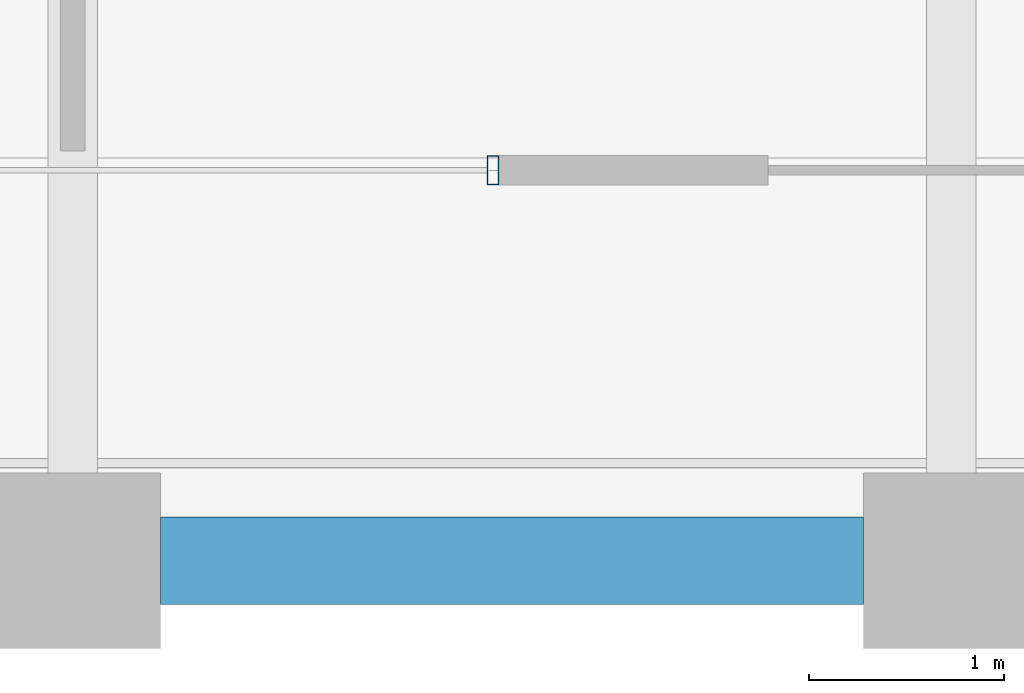
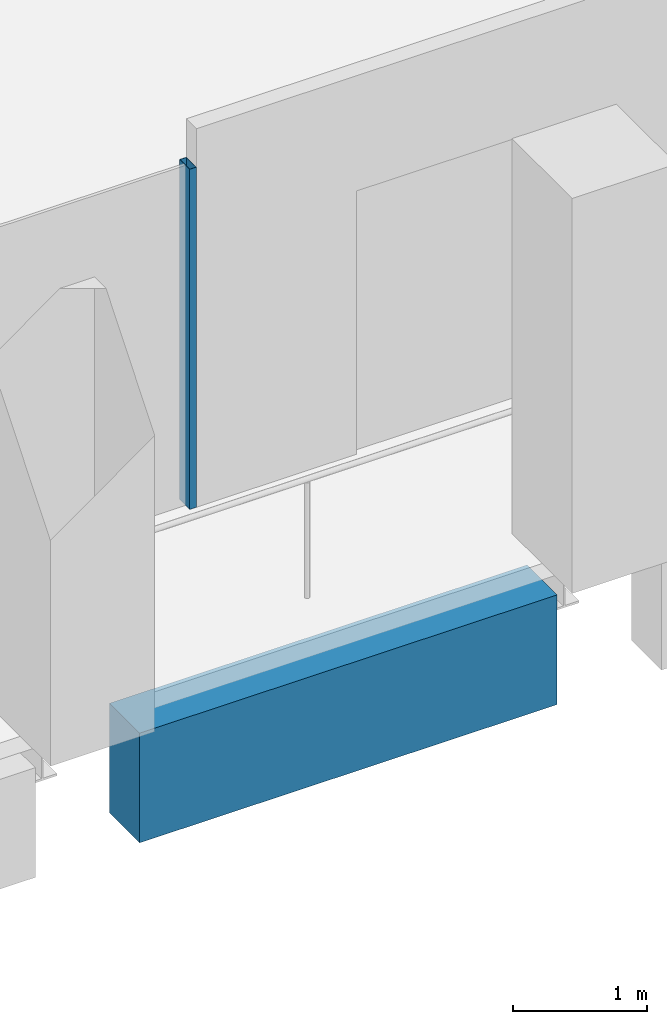
# One storey, part 7 of 40: 1 beam, 1 member, 1 element without a shape of its own.
"""IFC4 building model written with IfcOpenShell, lengths in metres."""

from ifc_helpers import new_model, si_unit, direction, frame, origin, origin_2d, place, context, subcontext, project, spatial, rectangle, hollow_rectangle, extrude, material, material_profile, profile_set, type_object, element, aggregate, save


model = new_model("IFC4")

# Units and contexts
model_context = context("Model", 3, precision=1e-05, world=origin(), true_north=direction((0.0, 1.0)))
body_context = subcontext(model_context, "Body", "Model", "MODEL_VIEW")
ifc_project = project(units=[si_unit("LENGTHUNIT", "METRE"), si_unit("AREAUNIT", "SQUARE_METRE"), si_unit("VOLUMEUNIT", "CUBIC_METRE"), si_unit("PLANEANGLEUNIT", "RADIAN"), si_unit("MASSUNIT", "GRAM", prefix="KILO")], contexts=[model_context])

# Site, building, storey
site_placement = place(None, origin())
site = spatial("IfcSite", under=ifc_project, at=site_placement, CompositionType="ELEMENT")
building_placement = place(site_placement, origin())
building = spatial("IfcBuilding", under=site, at=building_placement, Name="Altepetl Exchange Towers", CompositionType="ELEMENT")
storey_placement = place(building_placement, frame((0.0, 0.0, 176.199951171875)))
storey = spatial("IfcBuildingStorey", under=building, at=storey_placement, Name="L44", CompositionType="ELEMENT", Elevation=176.199951171875)

# Curtain wall, member
ifc_material_1 = material(Name="Aluminium 6063-T6 glazing", Category="aluminium")
curtain_wall_type = type_object("IfcCurtainWallType", Name="Loggia glazing system", PredefinedType="NOTDEFINED", material=ifc_material_1)
curtain_wall_placement = place(storey_placement, origin())
curtain_wall = element("IfcCurtainWall", 1, at=curtain_wall_placement, inside=storey, type_object=curtain_wall_type, Name="CW1 run", PredefinedType="NOTDEFINED")
ifc_material_2 = material(Name="Aluminium 6063-T6", Category="aluminium")
ifc_material_profile_1 = material_profile(ifc_material_2, hollow_rectangle(XDim=0.06005859375, YDim=0.14990234375, WallThickness=0.0029296875, at=origin_2d()), Name="Mullion 60x150 aluminium")
ifc_profile_set_1 = profile_set([ifc_material_profile_1], Name="Aluminium 6063-T6")
member_type = type_object("IfcMemberType", Name="Mullion 60x150 aluminium", PredefinedType="MULLION", material=ifc_profile_set_1)
member_placement = place(storey_placement, frame((47.152099609375, 29.0, 0.0)))
member = element("IfcMember", 2, at=member_placement, type_object=member_type, Name="MU1 mullion", PredefinedType="MULLION", context=body_context, shape_type="SweptSolid", body=[
    extrude(hollow_rectangle(XDim=0.06005859375, YDim=0.14990234375, WallThickness=0.0029296875, at=origin_2d()), origin(), (0.0, 0.0, 1.0), 3.10009765625),
])
aggregate(curtain_wall, [member])

# Beam
ifc_material_3 = material(Name="Concrete C50/60 precast with cantera blanca facing", Category="concrete")
ifc_material_profile_2 = material_profile(ifc_material_3, rectangle(XDim=0.449951171875, YDim=1.0, at=origin_2d()), Name="450 x 1000")
ifc_profile_set_2 = profile_set([ifc_material_profile_2], Name="Concrete C50/60 precast with cantera blanca facing")
beam_type = type_object("IfcBeamType", Name="Spandrel beam 450x1000 cantera blanca", PredefinedType="SPANDREL", material=ifc_profile_set_2)
beam_placement = place(storey_placement, frame((45.449951171875, 27.0, -0.64990234375), z_axis=(1.0, 0.0, 0.0), x_axis=(0.0, 1.0, 0.0)))
element("IfcBeam", 3, at=beam_placement, inside=storey, type_object=beam_type, Name="sp:A:L44:003", PredefinedType="SPANDREL", context=body_context, shape_type="SweptSolid", body=[
    extrude(rectangle(XDim=0.449951171875, YDim=1.0, at=origin_2d()), origin(), (0.0, 0.0, 1.0), 3.60009765625),
])

save(model, "model.ifc")
